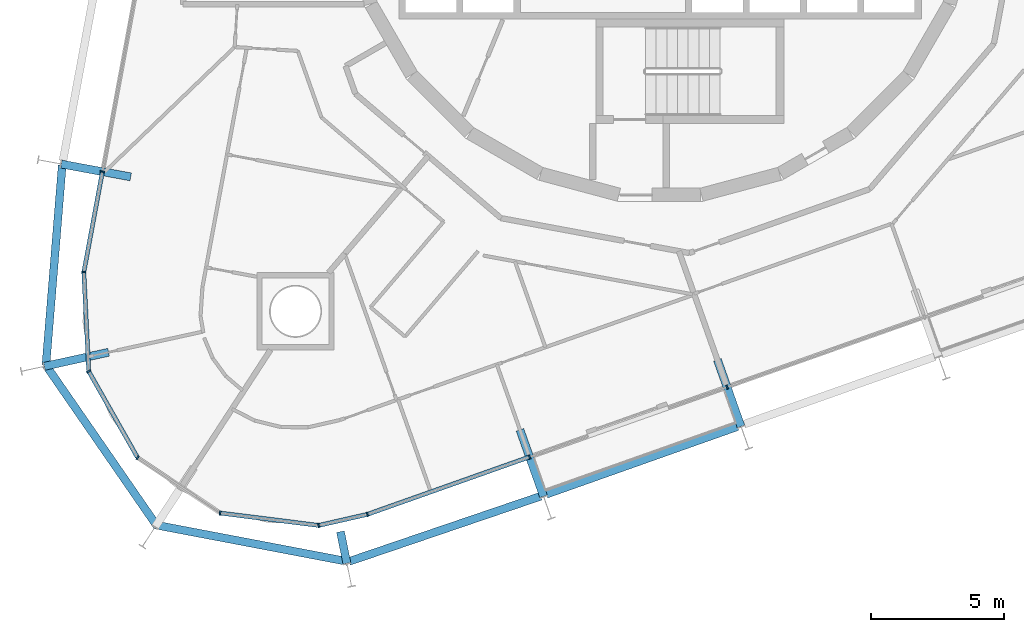
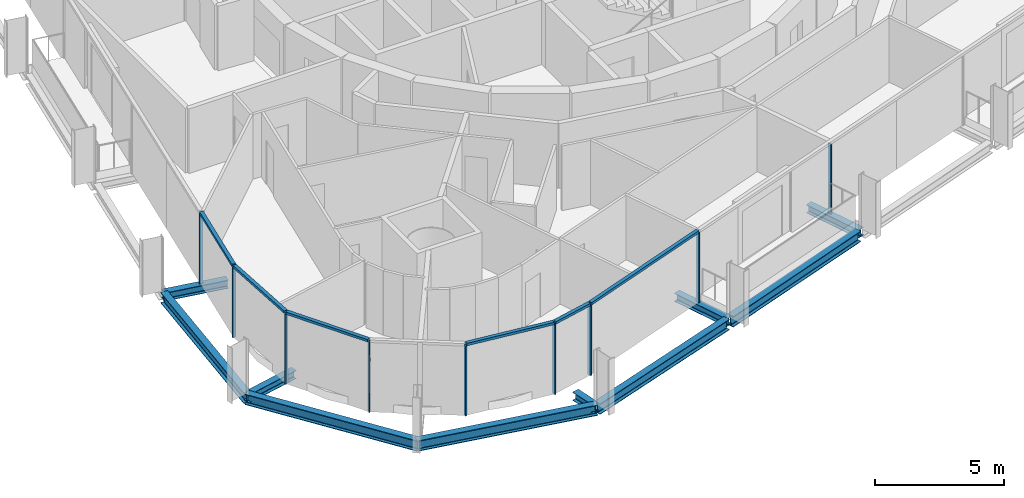
# One storey, part 2 of 17: 15 members, 10 beams, 2 elements without a shape of their own.
"""IFC4 building model written with IfcOpenShell, lengths in metres."""

from ifc_helpers import new_model, si_unit, direction, frame, origin, origin_2d, place, context, subcontext, project, spatial, rectangle, i_section, extrude, material, layer, layer_set, material_profile, profile_set, type_object, element, aggregate, save


model = new_model("IFC4")

# Units and contexts
model_context = context("Model", 3, precision=1e-05, world=origin(), true_north=direction((0.0, 1.0)))
body_context = subcontext(model_context, "Body", "Model", "MODEL_VIEW")
ifc_project = project(units=[si_unit("LENGTHUNIT", "METRE"), si_unit("AREAUNIT", "SQUARE_METRE"), si_unit("VOLUMEUNIT", "CUBIC_METRE"), si_unit("PLANEANGLEUNIT", "RADIAN"), si_unit("MASSUNIT", "GRAM", prefix="KILO")], contexts=[model_context])

# Site, building, storey
site_placement = place(None, origin())
site = spatial("IfcSite", under=ifc_project, at=site_placement, CompositionType="ELEMENT")
building_placement = place(site_placement, origin())
building = spatial("IfcBuilding", under=site, at=building_placement, Name="Spindle Arch Residences", CompositionType="ELEMENT")
storey_placement = place(building_placement, frame((0.0, 0.0, 179.699951171875)))
storey = spatial("IfcBuildingStorey", under=building, at=storey_placement, Name="L45", CompositionType="ELEMENT", Elevation=179.699951171875)

# Curtain wall, members
ifc_material_1 = material(Name="Aluminium bronze unitised frame with tinted glass", Category="aluminium")
ifc_layer_1 = layer(ifc_material_1, 0.159912109375)
ifc_layer_set_1 = layer_set([ifc_layer_1], Name="CW-D corner wall on the fillet arcs")
curtain_wall_type_1 = type_object("IfcCurtainWallType", Name="CW-D corner wall on the fillet arcs", PredefinedType="NOTDEFINED", material=ifc_layer_set_1)
curtain_wall_1_placement = place(storey_placement, origin())
curtain_wall_1 = element("IfcCurtainWall", 1, at=curtain_wall_1_placement, inside=storey, type_object=curtain_wall_type_1, Name="CW-D L45 run 5", PredefinedType="NOTDEFINED")
ifc_material_2 = material(Name="Aluminium bronze anodised mullion", Category="aluminium")
ifc_material_profile_1 = material_profile(ifc_material_2, rectangle(XDim=0.159912109375, YDim=0.06005859375, at=origin_2d()), Name="MU 60x160")
ifc_profile_set_1 = profile_set([ifc_material_profile_1], Name="Aluminium bronze anodised mullion")
member_type_1 = type_object("IfcMemberType", Name="Bronze mullion 60x160", PredefinedType="MULLION", material=ifc_profile_set_1)
member_1_placement = place(storey_placement, frame((-20.92724609375, -10.77685546875, -0.3798828125), z_axis=(0.0, 0.0, 1.0), x_axis=(0.983254907564, -0.182235525492, 0.0)))
member_1 = element("IfcMember", 2, at=member_1_placement, type_object=member_type_1, Name="CW-D mullion 00", PredefinedType="MULLION", context=body_context, shape_type="SweptSolid", body=[
    extrude(rectangle(XDim=0.159912109375, YDim=0.06005859375, at=origin_2d()), origin(), (0.0, 0.0, 1.0), 3.309814453125),
])
member_2_placement = place(storey_placement, frame((-21.6259765625, -14.546142578125, -0.3798828125), z_axis=(0.0, 0.0, 1.0), x_axis=(0.99877754864, 0.049430843939, 0.0)))
member_2 = element("IfcMember", 3, at=member_2_placement, type_object=member_type_1, Name="CW-D mullion 01", PredefinedType="MULLION", context=body_context, shape_type="SweptSolid", body=[
    extrude(rectangle(XDim=0.159912109375, YDim=0.06005859375, at=origin_2d()), origin(), (0.0, 0.0, 1.0), 3.309814453125),
])
member_3_placement = place(storey_placement, frame((-21.441650390625, -18.268310546875, -0.3798828125), z_axis=(0.0, 0.0, 1.0), x_axis=(0.870355694762, 0.492423562185, 0.0)))
member_3 = element("IfcMember", 4, at=member_3_placement, type_object=member_type_1, Name="CW-D mullion 02", PredefinedType="MULLION", context=body_context, shape_type="SweptSolid", body=[
    extrude(rectangle(XDim=0.159912109375, YDim=0.06005859375, at=origin_2d()), origin(), (0.0, 0.0, 1.0), 3.309814453125),
])
member_4_placement = place(storey_placement, frame((-19.6064453125, -21.511962890625, -0.3798828125), z_axis=(0.0, 0.0, 1.0), x_axis=(0.556778968928, 0.830660688705, 0.0)))
member_4 = element("IfcMember", 5, at=member_4_placement, type_object=member_type_1, Name="CW-D mullion 03", PredefinedType="MULLION", context=body_context, shape_type="SweptSolid", body=[
    extrude(rectangle(XDim=0.159912109375, YDim=0.06005859375, at=origin_2d()), origin(), (0.0, 0.0, 1.0), 3.309814453125),
])
member_5_placement = place(storey_placement, frame((-16.510986328125, -23.5869140625, -0.3798828125), z_axis=(0.0, 0.0, 1.0), x_axis=(0.12475602349, 0.992187449327, 0.0)))
member_5 = element("IfcMember", 6, at=member_5_placement, type_object=member_type_1, Name="CW-D mullion 04", PredefinedType="MULLION", context=body_context, shape_type="SweptSolid", body=[
    extrude(rectangle(XDim=0.159912109375, YDim=0.06005859375, at=origin_2d()), origin(), (0.0, 0.0, 1.0), 3.309814453125),
])
member_6_placement = place(storey_placement, frame((-12.813232421875, -24.0517578125, -0.3798828125), z_axis=(0.0, 0.0, 1.0), x_axis=(-0.222115779565, 0.975020297465, 0.0)))
member_6 = element("IfcMember", 7, at=member_6_placement, type_object=member_type_1, Name="CW-D mullion 05", PredefinedType="MULLION", context=body_context, shape_type="SweptSolid", body=[
    extrude(rectangle(XDim=0.159912109375, YDim=0.06005859375, at=origin_2d()), origin(), (0.0, 0.0, 1.0), 3.309814453125),
])
member_7_placement = place(storey_placement, frame((-10.984130859375, -23.63525390625, -0.3798828125), z_axis=(0.0, 0.0, 1.0), x_axis=(-0.333806859234, 0.942641491092, 0.0)))
member_7 = element("IfcMember", 8, at=member_7_placement, type_object=member_type_1, Name="CW-D mullion 06", PredefinedType="MULLION", context=body_context, shape_type="SweptSolid", body=[
    extrude(rectangle(XDim=0.159912109375, YDim=0.06005859375, at=origin_2d()), origin(), (0.0, 0.0, 1.0), 3.309814453125),
])

ifc_material_3 = material(Name="Aluminium bronze unitised frame with tinted glass", Category="aluminium")
ifc_layer_2 = layer(ifc_material_3, 0.159912109375)
ifc_layer_set_2 = layer_set([ifc_layer_2], Name="CW-C typical residential unitised wall")
curtain_wall_type_2 = type_object("IfcCurtainWallType", Name="CW-C typical residential unitised wall", PredefinedType="NOTDEFINED", material=ifc_layer_set_2)
curtain_wall_2_placement = place(storey_placement, origin())
curtain_wall_2 = element("IfcCurtainWall", 9, at=curtain_wall_2_placement, inside=storey, type_object=curtain_wall_type_2, Name="CW-C L45 run 6", PredefinedType="NOTDEFINED")
member_8_placement = place(storey_placement, frame((-4.900634765625, -21.48095703125, -0.3798828125), z_axis=(0.0, 0.0, 1.0), x_axis=(-0.333806859234, 0.942641491092, 0.0)))
member_8 = element("IfcMember", 10, at=member_8_placement, type_object=member_type_1, Name="CW-C mullion 20", PredefinedType="MULLION", context=body_context, shape_type="SweptSolid", body=[
    extrude(rectangle(XDim=0.159912109375, YDim=0.06005859375, at=origin_2d()), origin(), (0.0, 0.0, 1.0), 3.309814453125),
])
member_9_placement = place(storey_placement, frame((2.508544921875, -18.857177734375, -0.3798828125), z_axis=(0.0, 0.0, 1.0), x_axis=(-0.333806859234, 0.942641491092, 0.0)))
member_9 = element("IfcMember", 11, at=member_9_placement, type_object=member_type_1, Name="CW-C mullion 21", PredefinedType="MULLION", context=body_context, shape_type="SweptSolid", body=[
    extrude(rectangle(XDim=0.159912109375, YDim=0.06005859375, at=origin_2d()), origin(), (0.0, 0.0, 1.0), 3.309814453125),
])
aggregate(curtain_wall_2, [member_8, member_9])

# Member
ifc_material_4 = material(Name="Aluminium bronze anodised transom", Category="aluminium")
ifc_material_profile_2 = material_profile(ifc_material_4, rectangle(XDim=0.159912109375, YDim=0.1201171875, at=origin_2d()), Name="TR 120x160")
ifc_profile_set_2 = profile_set([ifc_material_profile_2], Name="Aluminium bronze anodised transom")
member_type_2 = type_object("IfcMemberType", Name="Bronze transom 120x160", PredefinedType="USERDEFINED", material=ifc_profile_set_2)
member_10_placement = place(storey_placement, frame((-20.932861328125, -10.806396484375, 2.989990234375), z_axis=(-0.182198152475, -0.983261833509, 0.0), x_axis=(0.983261833509, -0.182198152475, 0.0)))
member_10 = element("IfcMember", 12, at=member_10_placement, type_object=member_type_2, Name="CW-D transom 00", ObjectType="TRANSOM", PredefinedType="USERDEFINED", context=body_context, shape_type="SweptSolid", body=[
    extrude(rectangle(XDim=0.159912109375, YDim=0.1201171875, at=origin_2d()), origin(), (0.0, 0.0, 1.0), 3.7734375),
])

member_11_placement = place(storey_placement, frame((-21.62451171875, -14.576171875, 2.989990234375), z_axis=(0.049472678643, -0.998775477306, 0.0), x_axis=(0.998775477306, 0.049472678643, 0.0)))
member_11 = element("IfcMember", 13, at=member_11_placement, type_object=member_type_2, Name="CW-D transom 01", ObjectType="TRANSOM", PredefinedType="USERDEFINED", context=body_context, shape_type="SweptSolid", body=[
    extrude(rectangle(XDim=0.159912109375, YDim=0.1201171875, at=origin_2d()), origin(), (0.0, 0.0, 1.0), 3.66650390625),
])

member_12_placement = place(storey_placement, frame((-21.427001953125, -18.29443359375, 2.989990234375), z_axis=(0.49243456751, -0.870349468157, 0.0), x_axis=(0.870349468157, 0.49243456751, 0.0)))
member_12 = element("IfcMember", 14, at=member_12_placement, type_object=member_type_2, Name="CW-D transom 02", ObjectType="TRANSOM", PredefinedType="USERDEFINED", context=body_context, shape_type="SweptSolid", body=[
    extrude(rectangle(XDim=0.159912109375, YDim=0.1201171875, at=origin_2d()), origin(), (0.0, 0.0, 1.0), 3.666748046875),
])

member_13_placement = place(storey_placement, frame((-16.481201171875, -23.590576171875, 2.989990234375), z_axis=(0.992185413992, -0.12477220949, 0.0), x_axis=(0.12477220949, 0.992185413992, 0.0)))
member_13 = element("IfcMember", 15, at=member_13_placement, type_object=member_type_2, Name="CW-D transom 04", ObjectType="TRANSOM", PredefinedType="USERDEFINED", context=body_context, shape_type="SweptSolid", body=[
    extrude(rectangle(XDim=0.159912109375, YDim=0.1201171875, at=origin_2d()), origin(), (0.0, 0.0, 1.0), 3.666748046875),
])

member_14_placement = place(storey_placement, frame((-12.783935546875, -24.045166015625, 2.989990234375), z_axis=(0.975028425033, 0.222080099015, 0.0), x_axis=(-0.222080099015, 0.975028425033, 0.0)))
member_14 = element("IfcMember", 16, at=member_14_placement, type_object=member_type_2, Name="CW-D transom 05", ObjectType="TRANSOM", PredefinedType="USERDEFINED", context=body_context, shape_type="SweptSolid", body=[
    extrude(rectangle(XDim=0.159912109375, YDim=0.1201171875, at=origin_2d()), origin(), (0.0, 0.0, 1.0), 1.816162109375),
])

member_15_placement = place(storey_placement, frame((-10.955810546875, -23.625244140625, 2.989990234375), z_axis=(0.942638740525, 0.333814626495, 0.0), x_axis=(-0.333814626495, 0.942638740525, 0.0)))
member_15 = element("IfcMember", 17, at=member_15_placement, type_object=member_type_2, Name="CW-D transom 06", ObjectType="TRANSOM", PredefinedType="USERDEFINED", context=body_context, shape_type="SweptSolid", body=[
    extrude(rectangle(XDim=0.159912109375, YDim=0.1201171875, at=origin_2d()), origin(), (0.0, 0.0, 1.0), 6.3935546875),
])

aggregate(curtain_wall_1, [member_1, member_10, member_2, member_11, member_3, member_12, member_4, member_5, member_13, member_6, member_14, member_7, member_15])

# Beams
ifc_material_5 = material(Name="Steel S460ML, intumescent coating R 120", Category="steel")
ifc_material_profile_3 = material_profile(ifc_material_5, i_section(OverallWidth=0.300048828125, OverallDepth=0.5, WebThickness=0.014404296875, FlangeThickness=0.028076171875, FilletRadius=0.027099609375, at=origin_2d()), Name="HEB 500")
ifc_profile_set_3 = profile_set([ifc_material_profile_3], Name="Steel S460ML, intumescent coating R 120")
beam_type_1 = type_object("IfcBeamType", Name="Exoskeleton edge beam HEB 500", PredefinedType="BEAM", material=ifc_profile_set_3)
beam_1_placement = place(storey_placement, frame((-22.43408203125, -10.530517578125, -0.6298828125), z_axis=(-0.081396168561, -0.996681826735, 0.0), x_axis=(0.996681826735, -0.081396168561, 0.0)))
element("IfcBeam", 18, at=beam_1_placement, inside=storey, type_object=beam_type_1, Name="Exoskeleton edge beam 17", PredefinedType="BEAM", context=body_context, shape_type="SweptSolid", body=[
    extrude(i_section(OverallWidth=0.300048828125, OverallDepth=0.5, WebThickness=0.014404296875, FlangeThickness=0.028076171875, FilletRadius=0.027099609375, at=origin_2d()), origin(), (0.0, 0.0, 1.0), 7.534423828125),
])
for number, where, z_axis, x_axis, name in (
    (19, (-23.07080078125, -18.006103515625, -0.6298828125), (0.568398589538, -0.822753330842, 0.0), (0.822753330842, 0.568398589538, 0.0), "Exoskeleton edge beam 18"),
    (20, (-18.972900390625, -24.025390625, -0.6298828125), (0.982369437961, -0.186949959509, 0.0), (0.186949959509, 0.982369437961, 0.0), "Exoskeleton edge beam 19"),
):
    element("IfcBeam", number, at=place(storey_placement, frame(where, z_axis=z_axis, x_axis=x_axis)), inside=storey, type_object=beam_type_1, Name=name, PredefinedType="BEAM", context=body_context, shape_type="SweptSolid", body=[
        extrude(i_section(OverallWidth=0.300048828125, OverallDepth=0.5, WebThickness=0.014404296875, FlangeThickness=0.028076171875, FilletRadius=0.027099609375, at=origin_2d()), origin(), (0.0, 0.0, 1.0), 7.4033203125),
    ])
beam_2_placement = place(storey_placement, frame((-11.672119140625, -25.401123046875, -0.6298828125), z_axis=(0.94672748231, 0.322035827571, 0.0), x_axis=(-0.322035827571, 0.94672748231, 0.0)))
element("IfcBeam", 21, at=beam_2_placement, inside=storey, type_object=beam_type_1, Name="Exoskeleton edge beam 20", PredefinedType="BEAM", context=body_context, shape_type="SweptSolid", body=[
    extrude(i_section(OverallWidth=0.300048828125, OverallDepth=0.5, WebThickness=0.014404296875, FlangeThickness=0.028076171875, FilletRadius=0.027099609375, at=origin_2d()), origin(), (0.0, 0.0, 1.0), 7.596435546875),
])
beam_3_placement = place(storey_placement, frame((-4.267333984375, -22.8798828125, -0.6298828125), z_axis=(0.942633964352, 0.33382811333, 0.0), x_axis=(-0.33382811333, 0.942633964352, 0.0)))
element("IfcBeam", 22, at=beam_3_placement, inside=storey, type_object=beam_type_1, Name="Exoskeleton edge beam 21", PredefinedType="BEAM", context=body_context, shape_type="SweptSolid", body=[
    extrude(i_section(OverallWidth=0.300048828125, OverallDepth=0.5, WebThickness=0.014404296875, FlangeThickness=0.028076171875, FilletRadius=0.027099609375, at=origin_2d()), origin(), (0.0, 0.0, 1.0), 7.60009765625),
])
ifc_material_6 = material(Name="Steel S460ML, intumescent coating R 120", Category="steel")
ifc_material_profile_4 = material_profile(ifc_material_6, i_section(OverallWidth=0.300048828125, OverallDepth=0.389892578125, WebThickness=0.010986328125, FlangeThickness=0.01904296875, FilletRadius=0.027099609375, at=origin_2d()), Name="HEA 400")
ifc_profile_set_4 = profile_set([ifc_material_profile_4], Name="Steel S460ML, intumescent coating R 120")
beam_type_2 = type_object("IfcBeamType", Name="Floor outrigger HEA 400", PredefinedType="BEAM", material=ifc_profile_set_4)
beam_4_placement = place(storey_placement, frame((-22.470947265625, -10.49072265625, -0.574951171875), z_axis=(0.983253888741, -0.182241022482, 0.0), x_axis=(0.182241022482, 0.983253888741, 0.0)))
element("IfcBeam", 23, at=beam_4_placement, inside=storey, type_object=beam_type_2, Name="Floor outrigger 17", PredefinedType="BEAM", context=body_context, shape_type="SweptSolid", body=[
    extrude(i_section(OverallWidth=0.300048828125, OverallDepth=0.389892578125, WebThickness=0.010986328125, FlangeThickness=0.01904296875, FilletRadius=0.027099609375, at=origin_2d()), origin(), (0.0, 0.0, 1.0), 2.64990234375),
])
beam_5_placement = place(storey_placement, frame((-23.108154296875, -18.081298828125, -0.574951171875), z_axis=(0.976889051541, 0.21374700227, 0.0), x_axis=(-0.21374700227, 0.976889051541, 0.0)))
element("IfcBeam", 24, at=beam_5_placement, inside=storey, type_object=beam_type_2, Name="Floor outrigger 18", PredefinedType="BEAM", context=body_context, shape_type="SweptSolid", body=[
    extrude(i_section(OverallWidth=0.300048828125, OverallDepth=0.389892578125, WebThickness=0.010986328125, FlangeThickness=0.01904296875, FilletRadius=0.027099609375, at=origin_2d()), origin(), (0.0, 0.0, 1.0), 2.469482421875),
])
beam_6_placement = place(storey_placement, frame((-11.75390625, -25.47412109375, -0.574951171875), z_axis=(-0.199668771983, 0.979863450433, 0.0), x_axis=(-0.979863450433, -0.199668771983, 0.0)))
element("IfcBeam", 25, at=beam_6_placement, inside=storey, type_object=beam_type_2, Name="Floor outrigger 20", PredefinedType="BEAM", context=body_context, shape_type="SweptSolid", body=[
    extrude(i_section(OverallWidth=0.300048828125, OverallDepth=0.389892578125, WebThickness=0.010986328125, FlangeThickness=0.01904296875, FilletRadius=0.027099609375, at=origin_2d()), origin(), (0.0, 0.0, 1.0), 1.21533203125),
])
beam_7_placement = place(storey_placement, frame((-4.376708984375, -22.9609375, -0.574951171875), z_axis=(-0.333778924893, 0.942651382695, 0.0), x_axis=(-0.942651382695, -0.333778924893, 0.0)))
element("IfcBeam", 26, at=beam_7_placement, inside=storey, type_object=beam_type_2, Name="Floor outrigger 21", PredefinedType="BEAM", context=body_context, shape_type="SweptSolid", body=[
    extrude(i_section(OverallWidth=0.300048828125, OverallDepth=0.389892578125, WebThickness=0.010986328125, FlangeThickness=0.01904296875, FilletRadius=0.027099609375, at=origin_2d()), origin(), (0.0, 0.0, 1.0), 2.64990234375),
])
beam_8_placement = place(storey_placement, frame((3.03271484375, -20.337158203125, -0.574951171875), z_axis=(-0.333860785086, 0.942622393211, 0.0), x_axis=(-0.942622393211, -0.333860785086, 0.0)))
element("IfcBeam", 27, at=beam_8_placement, inside=storey, type_object=beam_type_2, Name="Floor outrigger 22", PredefinedType="BEAM", context=body_context, shape_type="SweptSolid", body=[
    extrude(i_section(OverallWidth=0.300048828125, OverallDepth=0.389892578125, WebThickness=0.010986328125, FlangeThickness=0.01904296875, FilletRadius=0.027099609375, at=origin_2d()), origin(), (0.0, 0.0, 1.0), 2.650146484375),
])

save(model, "model.ifc")
